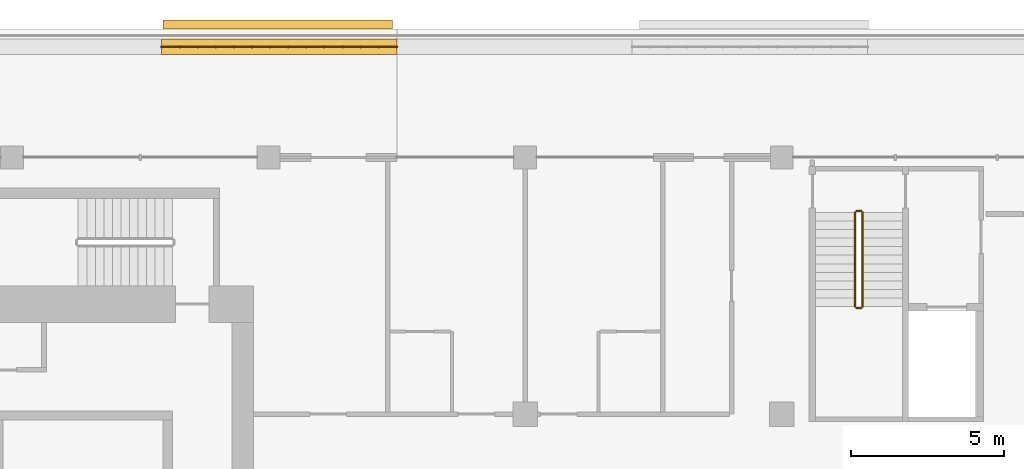
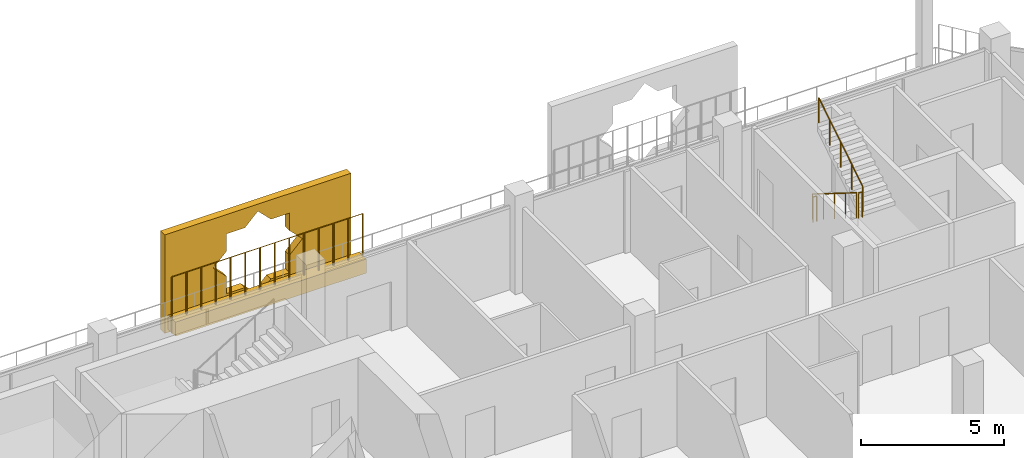
# One storey, part 20 of 21: 5 railings, 2 coverings.
"""IFC4 building model written with IfcOpenShell, lengths in metres."""

from ifc_helpers import new_model, si_unit, direction, frame, origin, origin_2d, place, context, subcontext, project, spatial, polyline, rectangle, circle, outline, extrude, material, material_profile, profile_set, type_object, element, save


model = new_model("IFC4")

# Units and contexts
model_context = context("Model", 3, precision=1e-05, world=origin(), true_north=direction((0.0, 1.0)))
body_context = subcontext(model_context, "Body", "Model", "MODEL_VIEW")
ifc_project = project(units=[si_unit("LENGTHUNIT", "METRE"), si_unit("AREAUNIT", "SQUARE_METRE"), si_unit("VOLUMEUNIT", "CUBIC_METRE"), si_unit("PLANEANGLEUNIT", "RADIAN"), si_unit("MASSUNIT", "GRAM", prefix="KILO")], contexts=[model_context])

# Site, building, storey
site_placement = place(None, origin())
site = spatial("IfcSite", under=ifc_project, at=site_placement, CompositionType="ELEMENT")
building_placement = place(site_placement, origin())
building = spatial("IfcBuilding", under=site, at=building_placement, Name="Kawkab Arch Medical Tower", CompositionType="ELEMENT")
storey_placement = place(building_placement, frame((0.0, 0.0, 307.0)))
storey = spatial("IfcBuildingStorey", under=building, at=storey_placement, Name="L71", CompositionType="ELEMENT", Elevation=307.0)

# Coverings
ifc_material_1 = material(Name="Bronze anodised aluminium mashrabiya panel, eight-point star pattern", Category="aluminium")
ifc_material_profile_1 = material_profile(ifc_material_1, outline(polyline([(-3.75, -2.10009765625), (3.75, -2.10009765625), (3.75, 2.10009765625), (-3.75, 2.10009765625), (-3.75, -2.10009765625)]), holes=[polyline([(1.800048828125, 0.0), (1.272705078125, 0.527099609375), (1.272705078125, 1.272705078125), (0.527099609375, 1.272705078125), (0.0, 1.800048828125), (-0.527099609375, 1.272705078125), (-1.272705078125, 1.272705078125), (-1.272705078125, 0.527099609375), (-1.800048828125, 0.0), (-1.272705078125, -0.527099609375), (-1.272705078125, -1.272705078125), (-0.527099609375, -1.272705078125), (0.0, -1.800048828125), (0.527099609375, -1.272705078125), (1.272705078125, -1.272705078125), (1.272705078125, -0.527099609375), (1.800048828125, 0.0)])]), Name="Mashrabiya panel 7500x4200")
ifc_profile_set_1 = profile_set([ifc_material_profile_1], Name="Bronze anodised aluminium mashrabiya panel, eight-point star pattern")
covering_type_1 = type_object("IfcCoveringType", Name="Mashrabiya panel 7500 x 4200", PredefinedType="USERDEFINED", material=ifc_profile_set_1)
covering_1_placement = place(storey_placement, frame((25.500732421875, 4.199951171875, 1.699951171875), z_axis=(0.0, 1.0, 0.0), x_axis=(-1.0, 0.0, 0.0)))
element("IfcCovering", 1, at=covering_1_placement, inside=storey, type_object=covering_type_1, Name="Mashrabiya panel L71.LOG-01-01.4", ObjectType="SCREEN", PredefinedType="USERDEFINED", context=body_context, shape_type="SweptSolid", body=[
    extrude(outline(polyline([(-3.75, -2.10009765625), (3.75, -2.10009765625), (3.75, 2.10009765625), (-3.75, 2.10009765625), (-3.75, -2.10009765625)]), holes=[polyline([(1.800048828125, 0.0), (1.272705078125, 0.527099609375), (1.272705078125, 1.272705078125), (0.527099609375, 1.272705078125), (0.0, 1.800048828125), (-0.527099609375, 1.272705078125), (-1.272705078125, 1.272705078125), (-1.272705078125, 0.527099609375), (-1.800048828125, 0.0), (-1.272705078125, -0.527099609375), (-1.272705078125, -1.272705078125), (-0.527099609375, -1.272705078125), (0.0, -1.800048828125), (0.527099609375, -1.272705078125), (1.272705078125, -1.272705078125), (1.272705078125, -0.527099609375), (1.800048828125, 0.0)])]), origin(), (0.0, 0.0, 1.0), 0.300048828125),
])
ifc_material_2 = material(Name="Planting soil in a precast trough", Category="concrete")
ifc_material_profile_2 = material_profile(ifc_material_2, rectangle(XDim=0.5, YDim=0.60009765625, at=origin_2d()), Name="Trough 500x600")
ifc_profile_set_2 = profile_set([ifc_material_profile_2], Name="Planting soil in a precast trough")
covering_type_2 = type_object("IfcCoveringType", Name="Planter trough 500 x 600", PredefinedType="USERDEFINED", material=ifc_profile_set_2)
covering_2_placement = place(storey_placement, frame((21.695068359375, 3.6201171875, 0.300048828125), z_axis=(1.0, 0.0, 0.0), x_axis=(0.0, 1.0, 0.0)))
element("IfcCovering", 2, at=covering_2_placement, inside=storey, type_object=covering_type_2, Name="Planter L71.LOG-01-01.15", ObjectType="PLANTER", PredefinedType="USERDEFINED", context=body_context, shape_type="SweptSolid", body=[
    extrude(rectangle(XDim=0.5, YDim=0.60009765625, at=origin_2d()), origin(), (0.0, 0.0, 1.0), 7.704833984375),
])

# Railings
ifc_material_3 = material(Name="Bronze anodised aluminium trellis for climbing plants", Category="aluminium")
railing_type_1 = type_object("IfcRailingType", Name="Planting trellis 2400", PredefinedType="USERDEFINED", material=ifc_material_3)
railing_1_placement = place(storey_placement, frame((21.695068359375, 3.6201171875, 0.0)))
element("IfcRailing", 3, at=railing_1_placement, inside=storey, type_object=railing_type_1, Name="Planting trellis L71.LOG-01-01.15", ObjectType="TRELLIS", PredefinedType="USERDEFINED", context=body_context, shape_type="SweptSolid", body=[
    extrude(circle(Radius=0.01513671875, at=origin_2d()), frame((0.0, 0.0, 2.384765625), z_axis=(1.0, 0.0, 0.0), x_axis=(0.0, 1.0, 0.0)), (0.0, 0.0, 1.0), 7.704833984375),
    extrude(circle(Radius=0.030029296875, at=origin_2d()), origin(), (0.0, 0.0, 1.0), 2.369873046875),
    extrude(circle(Radius=0.030029296875, at=origin_2d()), frame((0.5927734375, 0.0, 0.0)), (0.0, 0.0, 1.0), 2.369873046875),
    extrude(circle(Radius=0.030029296875, at=origin_2d()), frame((1.185302734375, 0.0, 0.0)), (0.0, 0.0, 1.0), 2.369873046875),
    extrude(circle(Radius=0.030029296875, at=origin_2d()), frame((1.778076171875, 0.0, 0.0)), (0.0, 0.0, 1.0), 2.369873046875),
    extrude(circle(Radius=0.030029296875, at=origin_2d()), frame((2.37060546875, 0.0, 0.0)), (0.0, 0.0, 1.0), 2.369873046875),
    extrude(circle(Radius=0.030029296875, at=origin_2d()), frame((2.96337890625, 0.0, 0.0)), (0.0, 0.0, 1.0), 2.369873046875),
    extrude(circle(Radius=0.030029296875, at=origin_2d()), frame((3.55615234375, 0.0, 0.0)), (0.0, 0.0, 1.0), 2.369873046875),
    extrude(circle(Radius=0.030029296875, at=origin_2d()), frame((4.148681640625, 0.0, 0.0)), (0.0, 0.0, 1.0), 2.369873046875),
    extrude(circle(Radius=0.030029296875, at=origin_2d()), frame((4.741455078125, 0.0, 0.0)), (0.0, 0.0, 1.0), 2.369873046875),
    extrude(circle(Radius=0.030029296875, at=origin_2d()), frame((5.334228515625, 0.0, 0.0)), (0.0, 0.0, 1.0), 2.369873046875),
    extrude(circle(Radius=0.030029296875, at=origin_2d()), frame((5.9267578125, 0.0, 0.0)), (0.0, 0.0, 1.0), 2.369873046875),
    extrude(circle(Radius=0.030029296875, at=origin_2d()), frame((6.51953125, 0.0, 0.0)), (0.0, 0.0, 1.0), 2.369873046875),
    extrude(circle(Radius=0.030029296875, at=origin_2d()), frame((7.112060546875, 0.0, 0.0)), (0.0, 0.0, 1.0), 2.369873046875),
    extrude(circle(Radius=0.030029296875, at=origin_2d()), frame((7.704833984375, 0.0, 0.0)), (0.0, 0.0, 1.0), 2.369873046875),
])
ifc_material_4 = material(Name="Stainless steel", Category="steel")
railing_type_2 = type_object("IfcRailingType", Name="Stair guard 1100", PredefinedType="GUARDRAIL", material=ifc_material_4)
railing_2_placement = place(storey_placement, frame((44.39990234375, -1.800048828125, 0.175048828125)))
element("IfcRailing", 4, at=railing_2_placement, inside=storey, type_object=railing_type_2, Name="L71 ST5 stair guard 1", PredefinedType="GUARDRAIL", context=body_context, shape_type="SweptSolid", body=[
    extrude(circle(Radius=0.02392578125, at=origin_2d()), frame((0.0, 0.0, 1.076171875), z_axis=(0.0, -0.847979421464, 0.530029150871), x_axis=(1.0, 0.0, 0.0)), (0.0, 0.0, 1.0), 3.632080078125),
    extrude(circle(Radius=0.02099609375, at=origin_2d()), origin(), (0.0, 0.0, 1.0), 1.052001953125),
    extrude(circle(Radius=0.02099609375, at=origin_2d()), frame((0.0, -0.77001953125, 0.481201171875)), (0.0, 0.0, 1.0), 1.052001953125),
    extrude(circle(Radius=0.02099609375, at=origin_2d()), frame((0.0, -1.5400390625, 0.96240234375)), (0.0, 0.0, 1.0), 1.052001953125),
    extrude(circle(Radius=0.02099609375, at=origin_2d()), frame((0.0, -2.309814453125, 1.44384765625)), (0.0, 0.0, 1.0), 1.052001953125),
    extrude(circle(Radius=0.02099609375, at=origin_2d()), frame((0.0, -3.079833984375, 1.925048828125)), (0.0, 0.0, 1.0), 1.052001953125),
])
railing_3_placement = place(storey_placement, frame((44.449951171875, -4.929931640625, 2.10009765625)))
element("IfcRailing", 5, at=railing_3_placement, inside=storey, type_object=railing_type_2, Name="L71 ST5 stair guard 2", PredefinedType="GUARDRAIL", context=body_context, shape_type="SweptSolid", body=[
    extrude(circle(Radius=0.02392578125, at=origin_2d()), frame((0.0, 0.0, 1.076171875), z_axis=(1.0, 0.0, 0.0), x_axis=(0.0, 1.0, 0.0)), (0.0, 0.0, 1.0), 0.150146484375),
    extrude(circle(Radius=0.02099609375, at=origin_2d()), origin(), (0.0, 0.0, 1.0), 1.052001953125),
    extrude(circle(Radius=0.02099609375, at=origin_2d()), frame((0.150146484375, 0.0, 0.0)), (0.0, 0.0, 1.0), 1.052001953125),
])
railing_4_placement = place(storey_placement, frame((44.64990234375, -4.8798828125, 2.27490234375)))
element("IfcRailing", 6, at=railing_4_placement, inside=storey, type_object=railing_type_2, Name="L71 ST5 stair guard 3", PredefinedType="GUARDRAIL", context=body_context, shape_type="SweptSolid", body=[
    extrude(circle(Radius=0.02392578125, at=origin_2d()), frame((0.0, 0.0, 1.076171875), z_axis=(0.0, 0.847979421464, 0.530029150871), x_axis=(-1.0, 0.0, 0.0)), (0.0, 0.0, 1.0), 3.632080078125),
    extrude(circle(Radius=0.02099609375, at=origin_2d()), origin(), (0.0, 0.0, 1.0), 1.052001953125),
    extrude(circle(Radius=0.02099609375, at=origin_2d()), frame((0.0, 0.77001953125, 0.481201171875)), (0.0, 0.0, 1.0), 1.052001953125),
    extrude(circle(Radius=0.02099609375, at=origin_2d()), frame((0.0, 1.5400390625, 0.96240234375)), (0.0, 0.0, 1.0), 1.052001953125),
    extrude(circle(Radius=0.02099609375, at=origin_2d()), frame((0.0, 2.309814453125, 1.44384765625)), (0.0, 0.0, 1.0), 1.052001953125),
    extrude(circle(Radius=0.02099609375, at=origin_2d()), frame((0.0, 3.079833984375, 1.925048828125)), (0.0, 0.0, 1.0), 1.052001953125),
])
railing_5_placement = place(storey_placement, frame((44.449951171875, -1.75, 0.0)))
element("IfcRailing", 7, at=railing_5_placement, inside=storey, type_object=railing_type_2, Name="L71 ST5 stair guard 4", PredefinedType="GUARDRAIL", context=body_context, shape_type="SweptSolid", body=[
    extrude(circle(Radius=0.02392578125, at=origin_2d()), frame((0.0, 0.0, 1.076171875), z_axis=(1.0, 0.0, 0.0), x_axis=(0.0, 1.0, 0.0)), (0.0, 0.0, 1.0), 0.150146484375),
    extrude(circle(Radius=0.02099609375, at=origin_2d()), origin(), (0.0, 0.0, 1.0), 1.052001953125),
    extrude(circle(Radius=0.02099609375, at=origin_2d()), frame((0.150146484375, 0.0, 0.0)), (0.0, 0.0, 1.0), 1.052001953125),
])

save(model, "model.ifc")
